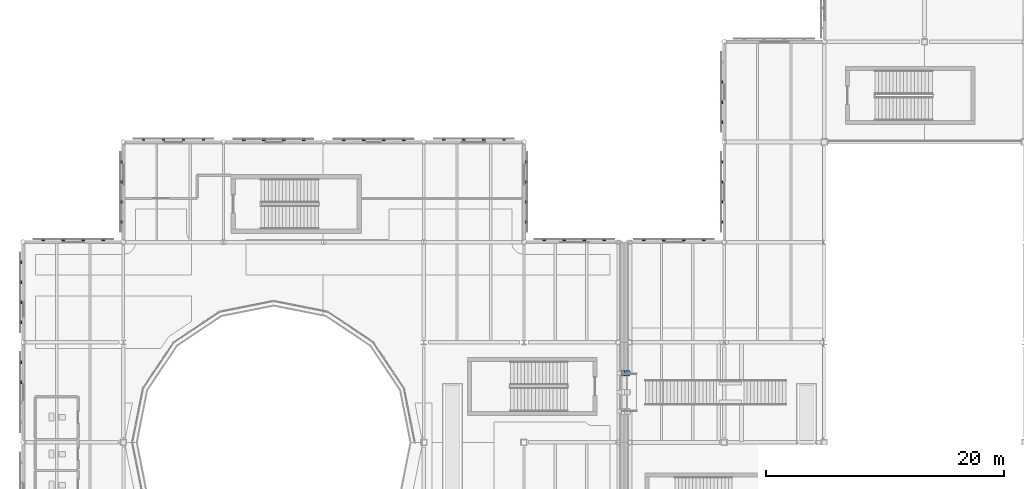
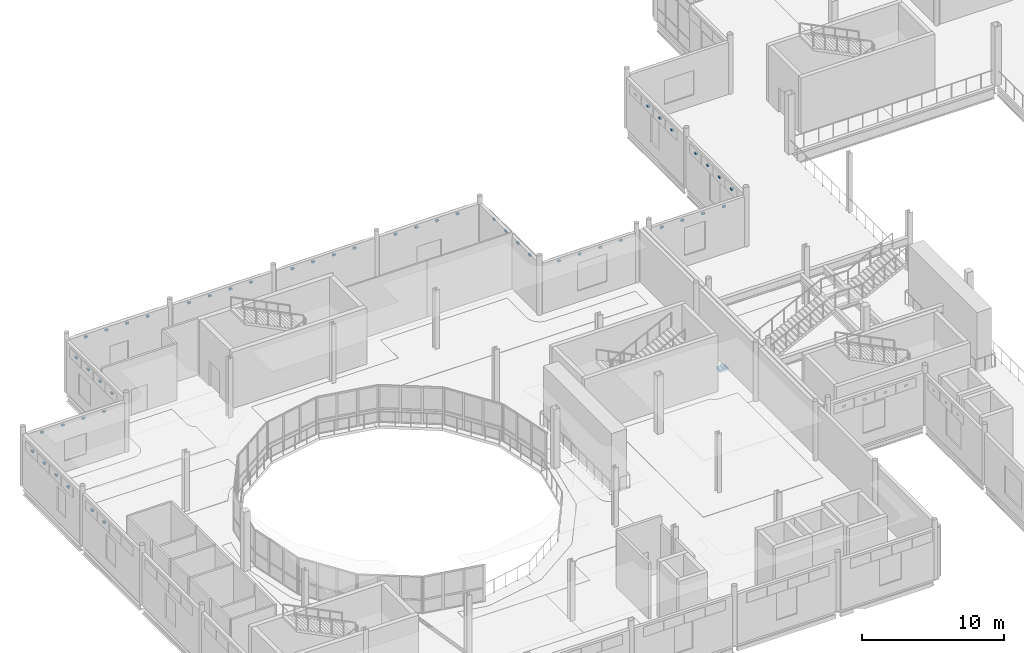
# One storey, part 81 of 104: 51 discrete accessories.
"""IFC4 building model written with IfcOpenShell, lengths in metres."""

from ifc_helpers import new_model, si_unit, direction, frame, origin, origin_2d, place, context, subcontext, project, spatial, rectangle, extrude, material, type_object, element, save


model = new_model("IFC4")

# Units and contexts
model_context = context("Model", 3, precision=1e-05, world=origin(), true_north=direction((0.0, 1.0)))
body_context = subcontext(model_context, "Body", "Model", "MODEL_VIEW")
ifc_project = project(units=[si_unit("LENGTHUNIT", "METRE"), si_unit("AREAUNIT", "SQUARE_METRE"), si_unit("VOLUMEUNIT", "CUBIC_METRE"), si_unit("PLANEANGLEUNIT", "RADIAN"), si_unit("MASSUNIT", "GRAM", prefix="KILO"), si_unit("THERMODYNAMICTEMPERATUREUNIT", "KELVIN")], contexts=[model_context])

# Site, building, storey
site_placement = place(None, origin())
site = spatial("IfcSite", under=ifc_project, at=site_placement, CompositionType="ELEMENT")
building_placement = place(site_placement, origin())
building = spatial("IfcBuilding", under=site, at=building_placement, Name="Lustrewick Department Store", CompositionType="ELEMENT")
storey_placement = place(building_placement, frame((0.0, 0.0, 11.39990234375)))
storey = spatial("IfcBuildingStorey", under=building, at=storey_placement, Name="L03", CompositionType="ELEMENT", Elevation=11.39990234375)

# Discrete accessories
ifc_material_1 = material(Name="Anodized filigree aluminium 6061-T6", Category="aluminium")
discrete_accessory_type_1 = type_object("IfcDiscreteAccessoryType", Name="BRK-FIL", PredefinedType="BRACKET", material=ifc_material_1)
for number, where, z_axis, x_axis, name in (
    (1, (57.14404296875, 84.179931640625, 3.7509765625), (0.0, 0.0, 1.0), (-1.0, 0.0, 0.0), "L03 Filigree Stand-Off Bracket 0205"),
    (2, (55.464111328125, 84.179931640625, 3.7509765625), (0.0, 0.0, 1.0), (-1.0, 0.0, 0.0), "L03 Filigree Stand-Off Bracket 0206"),
    (3, (53.783935546875, 84.179931640625, 3.7509765625), (0.0, 0.0, 1.0), (-1.0, 0.0, 0.0), "L03 Filigree Stand-Off Bracket 0207"),
    (4, (52.10400390625, 84.179931640625, 3.7509765625), (0.0, 0.0, 1.0), (-1.0, 0.0, 0.0), "L03 Filigree Stand-Off Bracket 0208"),
    (5, (50.590087890625, 85.687255859375, 3.9072265625), (0.0, 0.0, 1.0), (0.0, 1.0, 0.0), "L03 Filigree Stand-Off Bracket 0209"),
    (6, (50.590087890625, 87.3671875, 3.9072265625), (0.0, 0.0, 1.0), (0.0, 1.0, 0.0), "L03 Filigree Stand-Off Bracket 0210"),
    (7, (50.590087890625, 89.047119140625, 3.9072265625), (0.0, 0.0, 1.0), (0.0, 1.0, 0.0), "L03 Filigree Stand-Off Bracket 0211"),
    (8, (50.590087890625, 90.727294921875, 3.9072265625), (0.0, 0.0, 1.0), (0.0, 1.0, 0.0), "L03 Filigree Stand-Off Bracket 0212"),
    (9, (48.719970703125, 92.60009765625, 3.9072265625), (0.0, 0.0, 1.0), (-1.0, 0.0, 0.0), "L03 Filigree Stand-Off Bracket 0213"),
    (10, (47.0400390625, 92.60009765625, 3.9072265625), (0.0, 0.0, 1.0), (-1.0, 0.0, 0.0), "L03 Filigree Stand-Off Bracket 0214"),
    (11, (45.360107421875, 92.60009765625, 3.9072265625), (0.0, 0.0, 1.0), (-1.0, 0.0, 0.0), "L03 Filigree Stand-Off Bracket 0215"),
    (12, (43.679931640625, 92.60009765625, 3.9072265625), (0.0, 0.0, 1.0), (-1.0, 0.0, 0.0), "L03 Filigree Stand-Off Bracket 0216"),
    (13, (40.320068359375, 92.580078125, 3.9072265625), (0.0, 0.0, 1.0), (-1.0, 0.0, 0.0), "L03 Filigree Stand-Off Bracket 0217"),
    (14, (38.639892578125, 92.580078125, 3.9072265625), (0.0, 0.0, 1.0), (-1.0, 0.0, 0.0), "L03 Filigree Stand-Off Bracket 0218"),
    (15, (36.9599609375, 92.580078125, 3.9072265625), (0.0, 0.0, 1.0), (-1.0, 0.0, 0.0), "L03 Filigree Stand-Off Bracket 0219"),
    (16, (35.280029296875, 92.580078125, 3.9072265625), (0.0, 0.0, 1.0), (-1.0, 0.0, 0.0), "L03 Filigree Stand-Off Bracket 0220"),
    (17, (31.919921875, 92.590087890625, 3.9072265625), (0.0, 0.0, 1.0), (-1.0, 0.0, 0.0), "L03 Filigree Stand-Off Bracket 0221"),
    (18, (30.239990234375, 92.590087890625, 3.9072265625), (0.0, 0.0, 1.0), (-1.0, 0.0, 0.0), "L03 Filigree Stand-Off Bracket 0222"),
    (19, (28.56005859375, 92.590087890625, 3.9072265625), (0.0, 0.0, 1.0), (-1.0, 0.0, 0.0), "L03 Filigree Stand-Off Bracket 0223"),
    (20, (26.8798828125, 92.590087890625, 3.9072265625), (0.0, 0.0, 1.0), (-1.0, 0.0, 0.0), "L03 Filigree Stand-Off Bracket 0224"),
    (21, (23.52001953125, 92.60009765625, 3.9072265625), (0.0, 0.0, 1.0), (-1.0, 0.0, 0.0), "L03 Filigree Stand-Off Bracket 0225"),
    (22, (21.840087890625, 92.60009765625, 3.9072265625), (0.0, 0.0, 1.0), (-1.0, 0.0, 0.0), "L03 Filigree Stand-Off Bracket 0226"),
    (23, (20.159912109375, 92.60009765625, 3.9072265625), (0.0, 0.0, 1.0), (-1.0, 0.0, 0.0), "L03 Filigree Stand-Off Bracket 0227"),
    (24, (18.47998046875, 92.60009765625, 3.9072265625), (0.0, 0.0, 1.0), (-1.0, 0.0, 0.0), "L03 Filigree Stand-Off Bracket 0228"),
    (25, (16.6201171875, 90.727294921875, 3.9072265625), (0.0, 0.0, 1.0), (0.0, -1.0, 0.0), "L03 Filigree Stand-Off Bracket 0229"),
    (26, (16.6201171875, 89.047119140625, 3.9072265625), (0.0, 0.0, 1.0), (0.0, -1.0, 0.0), "L03 Filigree Stand-Off Bracket 0230"),
    (27, (16.6201171875, 87.3671875, 3.9072265625), (0.0, 0.0, 1.0), (0.0, -1.0, 0.0), "L03 Filigree Stand-Off Bracket 0231"),
    (28, (16.6201171875, 85.687255859375, 3.9072265625), (0.0, 0.0, 1.0), (0.0, -1.0, 0.0), "L03 Filigree Stand-Off Bracket 0232"),
    (29, (15.1201171875, 84.18994140625, 3.7509765625), (0.0, 0.0, 1.0), (-1.0, 0.0, 0.0), "L03 Filigree Stand-Off Bracket 0233"),
    (30, (13.43994140625, 84.18994140625, 3.7509765625), (0.0, 0.0, 1.0), (-1.0, 0.0, 0.0), "L03 Filigree Stand-Off Bracket 0234"),
    (31, (11.760009765625, 84.18994140625, 3.7509765625), (0.0, 0.0, 1.0), (-1.0, 0.0, 0.0), "L03 Filigree Stand-Off Bracket 0235"),
    (32, (10.080078125, 84.18994140625, 3.7509765625), (0.0, 0.0, 1.0), (-1.0, 0.0, 0.0), "L03 Filigree Stand-Off Bracket 0236"),
    (33, (8.199951171875, 82.312744140625, 3.9072265625), (0.0, 0.0, 1.0), (0.0, -1.0, 0.0), "L03 Filigree Stand-Off Bracket 0237"),
    (34, (8.199951171875, 80.6328125, 3.9072265625), (0.0, 0.0, 1.0), (0.0, -1.0, 0.0), "L03 Filigree Stand-Off Bracket 0238"),
    (35, (8.199951171875, 78.952880859375, 3.9072265625), (0.0, 0.0, 1.0), (0.0, -1.0, 0.0), "L03 Filigree Stand-Off Bracket 0239"),
    (36, (8.199951171875, 77.272705078125, 3.9072265625), (0.0, 0.0, 1.0), (0.0, -1.0, 0.0), "L03 Filigree Stand-Off Bracket 0240"),
    (37, (8.219970703125, 73.92724609375, 3.9072265625), (0.0, 0.0, 1.0), (0.0, -1.0, 0.0), "L03 Filigree Stand-Off Bracket 0241"),
    (38, (8.219970703125, 72.247314453125, 3.9072265625), (0.0, 0.0, 1.0), (0.0, -1.0, 0.0), "L03 Filigree Stand-Off Bracket 0242"),
    (39, (67.0, 97.4326171875, 3.8173828125), (0.0, 0.0, 1.0), (0.0, -1.0, 0.0), "L03 Filigree Stand-Off Bracket 0343"),
    (40, (67.0, 95.752685546875, 3.8173828125), (0.0, 0.0, 1.0), (0.0, -1.0, 0.0), "L03 Filigree Stand-Off Bracket 0344"),
    (41, (67.0, 94.07275390625, 3.8173828125), (0.0, 0.0, 1.0), (0.0, -1.0, 0.0), "L03 Filigree Stand-Off Bracket 0345"),
    (42, (67.02001953125, 90.727294921875, 3.8173828125), (0.0, 0.0, 1.0), (0.0, -1.0, 0.0), "L03 Filigree Stand-Off Bracket 0346"),
    (43, (67.02001953125, 89.047119140625, 3.8173828125), (0.0, 0.0, 1.0), (0.0, -1.0, 0.0), "L03 Filigree Stand-Off Bracket 0347"),
    (44, (67.02001953125, 87.3671875, 3.8173828125), (0.0, 0.0, 1.0), (0.0, -1.0, 0.0), "L03 Filigree Stand-Off Bracket 0348"),
    (45, (67.02001953125, 85.687255859375, 3.8173828125), (0.0, 0.0, 1.0), (0.0, -1.0, 0.0), "L03 Filigree Stand-Off Bracket 0349"),
    (46, (65.49609375, 84.179931640625, 3.7509765625), (0.0, 0.0, 1.0), (-1.0, 0.0, 0.0), "L03 Filigree Stand-Off Bracket 0350"),
    (47, (63.81591796875, 84.179931640625, 3.7509765625), (0.0, 0.0, 1.0), (-1.0, 0.0, 0.0), "L03 Filigree Stand-Off Bracket 0351"),
    (48, (62.135986328125, 84.179931640625, 3.7509765625), (0.0, 0.0, 1.0), (-1.0, 0.0, 0.0), "L03 Filigree Stand-Off Bracket 0352"),
    (49, (60.4560546875, 84.179931640625, 3.7509765625), (0.0, 0.0, 1.0), (-1.0, 0.0, 0.0), "L03 Filigree Stand-Off Bracket 0353"),
):
    element("IfcDiscreteAccessory", number, at=place(storey_placement, frame(where, z_axis=z_axis, x_axis=x_axis)), inside=storey, type_object=discrete_accessory_type_1, Name=name, PredefinedType="BRACKET", context=body_context, shape_type="SweptSolid", body=[
        extrude(rectangle(XDim=0.239990234375, YDim=0.139892578125, at=origin_2d()), origin(), (0.0, 0.0, 1.0), 0.159912109375),
    ])
ifc_material_2 = material(Name="Structural steel Q355C", Category="steel")
discrete_accessory_type_2 = type_object("IfcDiscreteAccessoryType", Name="SB-CORBEL", PredefinedType="BRACKET", material=ifc_material_2)
discrete_accessory_1_placement = place(storey_placement, frame((58.949951171875, 73.0, -1.11279296875), z_axis=(0.0, 0.0, 1.0), x_axis=(1.0, 0.0, 0.0)))
element("IfcDiscreteAccessory", 50, at=discrete_accessory_1_placement, inside=storey, type_object=discrete_accessory_type_2, Name="L03 Skybridge SB12 700 mm Bearing Seat Corbel 3", PredefinedType="BRACKET", context=body_context, shape_type="SweptSolid", body=[
    extrude(rectangle(XDim=0.699951171875, YDim=0.47998046875, at=origin_2d()), origin(), (0.0, 0.0, 1.0), 0.219970703125),
])
discrete_accessory_type_3 = type_object("IfcDiscreteAccessoryType", Name="SB-PTFE", PredefinedType="BRACKET", material=ifc_material_2)
discrete_accessory_2_placement = place(storey_placement, frame((58.949951171875, 73.0, -0.89306640625), z_axis=(0.0, 0.0, 1.0), x_axis=(1.0, 0.0, 0.0)))
element("IfcDiscreteAccessory", 51, at=discrete_accessory_2_placement, inside=storey, type_object=discrete_accessory_type_3, Name="L03 Skybridge SB12 PTFE Sliding Bearing 3", PredefinedType="BRACKET", context=body_context, shape_type="SweptSolid", body=[
    extrude(rectangle(XDim=0.199951171875, YDim=0.449951171875, at=origin_2d()), origin(), (0.0, 0.0, 1.0), 0.159912109375),
])

save(model, "model.ifc")
